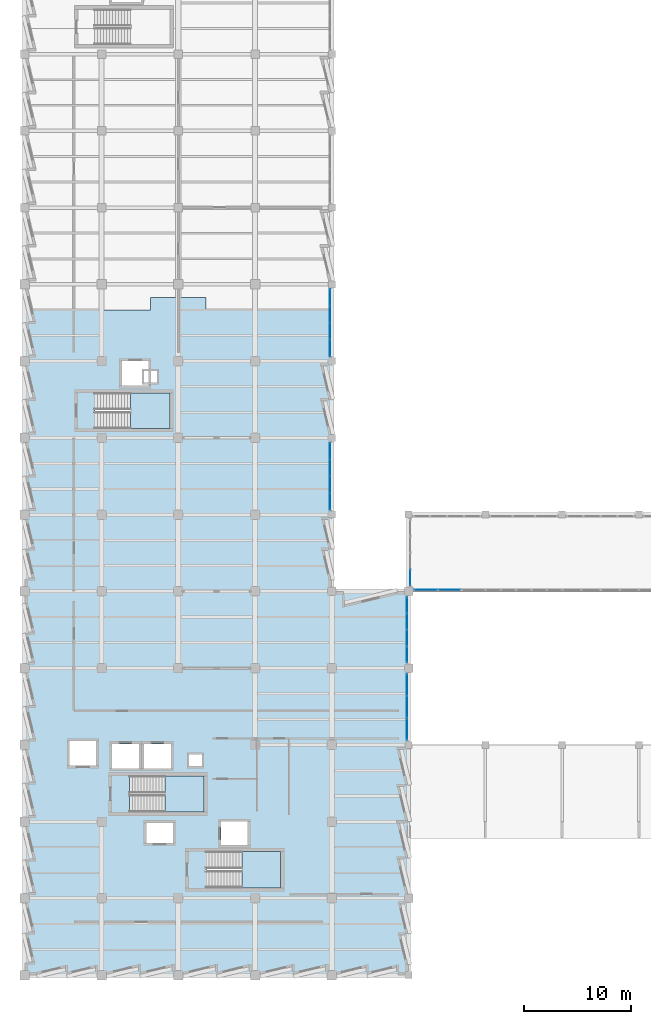
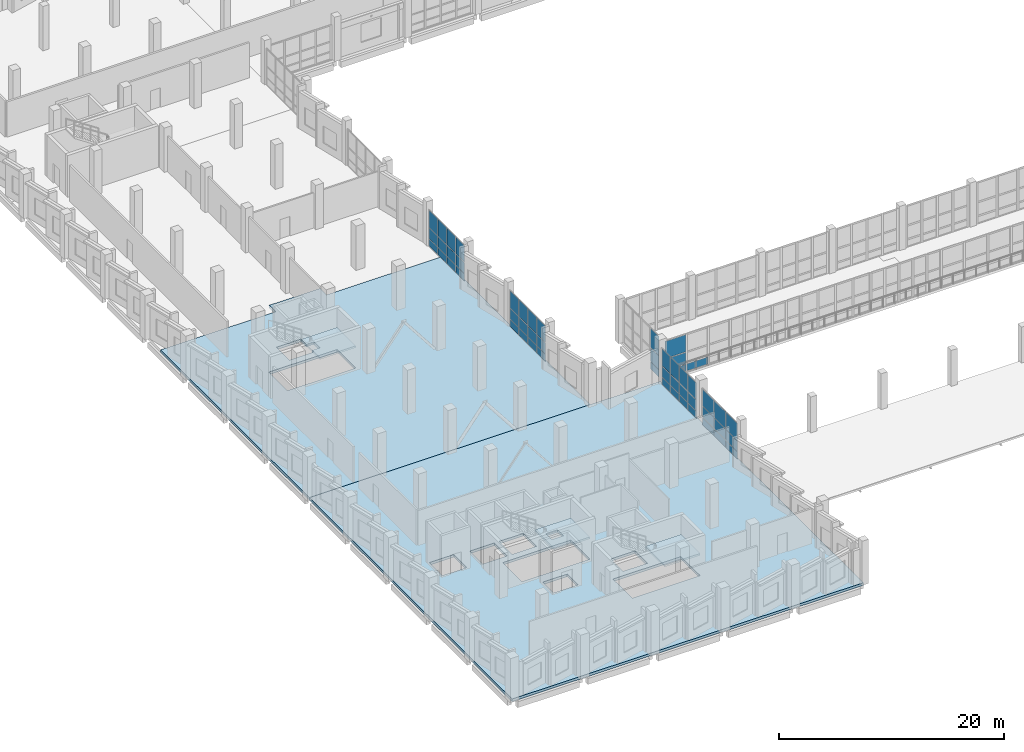
# One storey, part 77 of 127: 52 plates, 5 slabs, 9 elements without a shape of their own.
"""IFC4 building model written with IfcOpenShell, lengths in metres."""

from ifc_helpers import new_model, si_unit, direction, frame, origin, origin_2d, place, context, subcontext, project, spatial, polyline, rectangle, outline, extrude, material, layer, layer_set, type_object, element, aggregate, save


model = new_model("IFC4")

# Units and contexts
model_context = context("Model", 3, precision=1e-05, world=origin(), true_north=direction((0.0, 1.0)))
body_context = subcontext(model_context, "Body", "Model", "MODEL_VIEW")
ifc_project = project(units=[si_unit("LENGTHUNIT", "METRE"), si_unit("AREAUNIT", "SQUARE_METRE"), si_unit("VOLUMEUNIT", "CUBIC_METRE"), si_unit("PLANEANGLEUNIT", "RADIAN"), si_unit("MASSUNIT", "GRAM", prefix="KILO")], contexts=[model_context])

# Site, building, storey
site_placement = place(None, origin())
site = spatial("IfcSite", under=ifc_project, at=site_placement, CompositionType="ELEMENT")
building_placement = place(site_placement, origin())
building = spatial("IfcBuilding", under=site, at=building_placement, Name="Kalmorath City Hall", CompositionType="ELEMENT")
storey_placement = place(building_placement, frame((0.0, 0.0, 5.39990234375)))
storey = spatial("IfcBuildingStorey", under=building, at=storey_placement, Name="L01", CompositionType="ELEMENT", Elevation=5.39990234375)

# Slabs
ifc_material_1 = material(Name="Concrete C40/50", Category="concrete")
ifc_layer_1 = layer(ifc_material_1, 0.280029296875)
ifc_layer_set_1 = layer_set([ifc_layer_1], Name="Concrete C40/50")
slab_type_1 = type_object("IfcSlabType", Name="Concrete composite floor slab 280", PredefinedType="FLOOR", material=ifc_layer_set_1)
slab_1_placement = place(storey_placement, frame((0.0, 0.0, -0.27978515625)))
element("IfcSlab", 1, at=slab_1_placement, inside=storey, type_object=slab_type_1, Name="L01 Corner Administration Block slab FS2-1", PredefinedType="FLOOR", context=body_context, shape_type="SweptSolid", body=[
    extrude(outline(polyline([(0.0, 36.0), (36.0, 36.0), (36.0, 0.0), (0.0, 0.0), (0.0, 36.0)]), holes=[polyline([(16.800048828125, 15.300048828125), (16.800048828125, 18.699951171875), (9.840087890625, 18.699951171875), (9.840087890625, 15.300048828125), (16.800048828125, 15.300048828125)]), polyline([(4.199951171875, 19.64990234375), (6.699951171875, 19.64990234375), (6.699951171875, 21.949951171875), (4.199951171875, 21.949951171875), (4.199951171875, 19.64990234375)]), polyline([(8.199951171875, 21.699951171875), (8.199951171875, 19.39990234375), (10.699951171875, 19.39990234375), (10.699951171875, 21.699951171875), (8.199951171875, 21.699951171875)]), polyline([(13.699951171875, 21.699951171875), (11.199951171875, 21.699951171875), (11.199951171875, 19.39990234375), (13.699951171875, 19.39990234375), (13.699951171875, 21.699951171875)]), polyline([(24.0, 8.199951171875), (24.0, 11.60009765625), (17.0400390625, 11.60009765625), (17.0400390625, 8.199951171875), (24.0, 8.199951171875)]), polyline([(11.39990234375, 12.39990234375), (13.89990234375, 12.39990234375), (13.89990234375, 14.300048828125), (11.39990234375, 14.300048828125), (11.39990234375, 12.39990234375)]), polyline([(18.39990234375, 14.39990234375), (18.39990234375, 12.199951171875), (20.89990234375, 12.199951171875), (20.89990234375, 14.39990234375), (18.39990234375, 14.39990234375)]), polyline([(16.60009765625, 20.679931640625), (15.39990234375, 20.679931640625), (15.39990234375, 19.60009765625), (16.60009765625, 19.60009765625), (16.60009765625, 20.679931640625)])]), origin(), (0.0, 0.0, 1.0), 0.27978515625),
])
slab_2_placement = place(storey_placement, frame((0.0, 0.0, -0.27978515625)))
element("IfcSlab", 2, at=slab_2_placement, inside=storey, type_object=slab_type_1, Name="L01 West Sawtooth Wing and Civic Storm Arcade slab FS2-1", PredefinedType="FLOOR", context=body_context, shape_type="SweptSolid", body=[
    extrude(outline(polyline([(0.0, 36.0), (0.0, 62.39990234375), (11.800048828125, 62.39990234375), (11.800048828125, 63.550048828125), (17.0, 63.550048828125), (17.0, 62.39990234375), (28.800048828125, 62.39990234375), (28.800048828125, 36.0), (0.0, 36.0)]), holes=[polyline([(6.590087890625, 54.60009765625), (6.590087890625, 51.300048828125), (13.60009765625, 51.300048828125), (13.60009765625, 54.60009765625), (6.590087890625, 54.60009765625)]), polyline([(11.60009765625, 55.60009765625), (12.39990234375, 55.60009765625), (12.39990234375, 56.679931640625), (11.60009765625, 56.679931640625), (11.60009765625, 57.60009765625), (9.10009765625, 57.60009765625), (9.10009765625, 55.300048828125), (11.60009765625, 55.300048828125), (11.60009765625, 55.60009765625)])]), origin(), (0.0, 0.0, 1.0), 0.27978515625),
])

# Stair, slab
ifc_material_2 = material(Name="Concrete C40/50", Category="concrete")
stair_type_1 = type_object("IfcStairType", Name="Dogleg concrete exit stair 26R x 185mm W1600", PredefinedType="HALF_TURN_STAIR", material=ifc_material_2)
stair_1_placement = place(storey_placement, origin())
stair_1 = element("IfcStair", 3, at=stair_1_placement, inside=storey, type_object=stair_type_1, Name="L01 Protected exit stair ST-1", PredefinedType="HALF_TURN_STAIR")
ifc_material_3 = material(Name="Concrete C40/50", Category="concrete")
ifc_layer_2 = layer(ifc_material_3, 0.199951171875)
ifc_layer_set_2 = layer_set([ifc_layer_2], Name="Concrete C40/50")
slab_type_2 = type_object("IfcSlabType", Name="Concrete stair half-landing slab 200", PredefinedType="LANDING", material=ifc_layer_set_2)
slab_3_placement = place(storey_placement, frame((0.0, 0.0, 2.2001953125)))
slab_3 = element("IfcSlab", 4, at=slab_3_placement, type_object=slab_type_2, Name="ST-1 landing 1", PredefinedType="LANDING", context=body_context, shape_type="SweptSolid", body=[
    extrude(outline(polyline([(13.159912109375, 15.300048828125), (16.800048828125, 15.300048828125), (16.800048828125, 18.699951171875), (13.159912109375, 18.699951171875), (13.159912109375, 15.300048828125)])), origin(), (0.0, 0.0, 1.0), 0.199951171875),
])
aggregate(stair_1, [slab_3])

stair_2_placement = place(storey_placement, origin())
stair_2 = element("IfcStair", 5, at=stair_2_placement, inside=storey, type_object=stair_type_1, Name="L01 Protected exit stair ST-2", PredefinedType="HALF_TURN_STAIR")
slab_4_placement = place(storey_placement, frame((0.0, 0.0, 2.2001953125)))
slab_4 = element("IfcSlab", 6, at=slab_4_placement, type_object=slab_type_2, Name="ST-2 landing 1", PredefinedType="LANDING", context=body_context, shape_type="SweptSolid", body=[
    extrude(outline(polyline([(20.360107421875, 8.199951171875), (24.0, 8.199951171875), (24.0, 11.60009765625), (20.360107421875, 11.60009765625), (20.360107421875, 8.199951171875)])), origin(), (0.0, 0.0, 1.0), 0.199951171875),
])
aggregate(stair_2, [slab_4])

ifc_material_4 = material(Name="Concrete C40/50", Category="concrete")
stair_type_2 = type_object("IfcStairType", Name="Dogleg concrete exit stair 26R x 185mm W1550", PredefinedType="HALF_TURN_STAIR", material=ifc_material_4)
stair_3_placement = place(storey_placement, origin())
stair_3 = element("IfcStair", 7, at=stair_3_placement, inside=storey, type_object=stair_type_2, Name="L01 Protected exit stair ST-3", PredefinedType="HALF_TURN_STAIR")
slab_5_placement = place(storey_placement, frame((0.0, 0.0, 2.2001953125)))
slab_5 = element("IfcSlab", 8, at=slab_5_placement, type_object=slab_type_2, Name="ST-3 landing 1", PredefinedType="LANDING", context=body_context, shape_type="SweptSolid", body=[
    extrude(outline(polyline([(9.909912109375, 51.300048828125), (13.60009765625, 51.300048828125), (13.60009765625, 54.60009765625), (9.909912109375, 54.60009765625), (9.909912109375, 51.300048828125)])), origin(), (0.0, 0.0, 1.0), 0.199951171875),
])
aggregate(stair_3, [slab_5])

# Curtain wall, plates
ifc_material_5 = material(Name="Anodised aluminium and laminated glass", Category="aluminium")
curtain_wall_type_1 = type_object("IfcCurtainWallType", Name="Unitised hurricane curtain wall 6370x3976 M1750", PredefinedType="NOTDEFINED", material=ifc_material_5)
curtain_wall_1_placement = place(storey_placement, origin())
curtain_wall_1 = element("IfcCurtainWall", 9, at=curtain_wall_1_placement, inside=storey, type_object=curtain_wall_type_1, Name="L01 curtain wall CW-64X40M18 #110", PredefinedType="NOTDEFINED")
ifc_material_6 = material(Name="Hurricane laminated low-E glass", Category="glass")
ifc_layer_3 = layer(ifc_material_6, 0.028076171875)
ifc_layer_set_3 = layer_set([ifc_layer_3], Name="Hurricane laminated low-E glass")
plate_type_1 = type_object("IfcPlateType", Name="Courtyard solar-control glazed panel 28", PredefinedType="CURTAIN_PANEL", material=ifc_layer_set_3)
plate_1_placement = place(storey_placement, frame((28.639892578125, 63.572509765625, 0.06005859375), z_axis=(0.0, 0.0, 1.0), x_axis=(0.0, -1.0, 0.0)))
plate_1 = element("IfcPlate", 10, at=plate_1_placement, type_object=plate_type_1, Name="CW-64X40M18 panel 1.1", PredefinedType="CURTAIN_PANEL", context=body_context, shape_type="SweptSolid", body=[
    extrude(rectangle(XDim=1.4951171875, YDim=0.028076171875, at=origin_2d()), origin(), (0.0, 0.0, 1.0), 0.760009765625),
])
plate_2_placement = place(storey_placement, frame((28.639892578125, 63.572509765625, 0.8798828125), z_axis=(0.0, 0.0, 1.0), x_axis=(0.0, -1.0, 0.0)))
plate_2 = element("IfcPlate", 11, at=plate_2_placement, type_object=plate_type_1, Name="CW-64X40M18 panel 1.2", PredefinedType="CURTAIN_PANEL", context=body_context, shape_type="SweptSolid", body=[
    extrude(rectangle(XDim=1.4951171875, YDim=0.028076171875, at=origin_2d()), origin(), (0.0, 0.0, 1.0), 1.157958984375),
])
plate_3_placement = place(storey_placement, frame((28.639892578125, 63.572509765625, 2.09814453125), z_axis=(0.0, 0.0, 1.0), x_axis=(0.0, -1.0, 0.0)))
plate_3 = element("IfcPlate", 12, at=plate_3_placement, type_object=plate_type_1, Name="CW-64X40M18 panel 1.3", PredefinedType="CURTAIN_PANEL", context=body_context, shape_type="SweptSolid", body=[
    extrude(rectangle(XDim=1.4951171875, YDim=0.028076171875, at=origin_2d()), origin(), (0.0, 0.0, 1.0), 1.818115234375),
])
plate_4_placement = place(storey_placement, frame((28.639892578125, 61.996337890625, 0.06005859375), z_axis=(0.0, 0.0, 1.0), x_axis=(0.0, -1.0, 0.0)))
plate_4 = element("IfcPlate", 13, at=plate_4_placement, type_object=plate_type_1, Name="CW-64X40M18 panel 2.1", PredefinedType="CURTAIN_PANEL", context=body_context, shape_type="SweptSolid", body=[
    extrude(rectangle(XDim=1.527587890625, YDim=0.028076171875, at=origin_2d()), origin(), (0.0, 0.0, 1.0), 0.760009765625),
])
plate_5_placement = place(storey_placement, frame((28.639892578125, 61.996337890625, 0.8798828125), z_axis=(0.0, 0.0, 1.0), x_axis=(0.0, -1.0, 0.0)))
plate_5 = element("IfcPlate", 14, at=plate_5_placement, type_object=plate_type_1, Name="CW-64X40M18 panel 2.2", PredefinedType="CURTAIN_PANEL", context=body_context, shape_type="SweptSolid", body=[
    extrude(rectangle(XDim=1.527587890625, YDim=0.028076171875, at=origin_2d()), origin(), (0.0, 0.0, 1.0), 1.157958984375),
])
plate_6_placement = place(storey_placement, frame((28.639892578125, 61.996337890625, 2.09814453125), z_axis=(0.0, 0.0, 1.0), x_axis=(0.0, -1.0, 0.0)))
plate_6 = element("IfcPlate", 15, at=plate_6_placement, type_object=plate_type_1, Name="CW-64X40M18 panel 2.3", PredefinedType="CURTAIN_PANEL", context=body_context, shape_type="SweptSolid", body=[
    extrude(rectangle(XDim=1.527587890625, YDim=0.028076171875, at=origin_2d()), origin(), (0.0, 0.0, 1.0), 1.818115234375),
])
plate_7_placement = place(storey_placement, frame((28.639892578125, 60.40380859375, 0.06005859375), z_axis=(0.0, 0.0, 1.0), x_axis=(0.0, -1.0, 0.0)))
plate_7 = element("IfcPlate", 16, at=plate_7_placement, type_object=plate_type_1, Name="CW-64X40M18 panel 3.1", PredefinedType="CURTAIN_PANEL", context=body_context, shape_type="SweptSolid", body=[
    extrude(rectangle(XDim=1.527587890625, YDim=0.028076171875, at=origin_2d()), origin(), (0.0, 0.0, 1.0), 0.760009765625),
])
plate_8_placement = place(storey_placement, frame((28.639892578125, 60.40380859375, 0.8798828125), z_axis=(0.0, 0.0, 1.0), x_axis=(0.0, -1.0, 0.0)))
plate_8 = element("IfcPlate", 17, at=plate_8_placement, type_object=plate_type_1, Name="CW-64X40M18 panel 3.2", PredefinedType="CURTAIN_PANEL", context=body_context, shape_type="SweptSolid", body=[
    extrude(rectangle(XDim=1.527587890625, YDim=0.028076171875, at=origin_2d()), origin(), (0.0, 0.0, 1.0), 1.157958984375),
])
plate_9_placement = place(storey_placement, frame((28.639892578125, 60.40380859375, 2.09814453125), z_axis=(0.0, 0.0, 1.0), x_axis=(0.0, -1.0, 0.0)))
plate_9 = element("IfcPlate", 18, at=plate_9_placement, type_object=plate_type_1, Name="CW-64X40M18 panel 3.3", PredefinedType="CURTAIN_PANEL", context=body_context, shape_type="SweptSolid", body=[
    extrude(rectangle(XDim=1.527587890625, YDim=0.028076171875, at=origin_2d()), origin(), (0.0, 0.0, 1.0), 1.818115234375),
])
plate_10_placement = place(storey_placement, frame((28.639892578125, 58.827392578125, 0.06005859375), z_axis=(0.0, 0.0, 1.0), x_axis=(0.0, -1.0, 0.0)))
plate_10 = element("IfcPlate", 19, at=plate_10_placement, type_object=plate_type_1, Name="CW-64X40M18 panel 4.1", PredefinedType="CURTAIN_PANEL", context=body_context, shape_type="SweptSolid", body=[
    extrude(rectangle(XDim=1.4951171875, YDim=0.028076171875, at=origin_2d()), origin(), (0.0, 0.0, 1.0), 0.760009765625),
])
plate_11_placement = place(storey_placement, frame((28.639892578125, 58.827392578125, 0.8798828125), z_axis=(0.0, 0.0, 1.0), x_axis=(0.0, -1.0, 0.0)))
plate_11 = element("IfcPlate", 20, at=plate_11_placement, type_object=plate_type_1, Name="CW-64X40M18 panel 4.2", PredefinedType="CURTAIN_PANEL", context=body_context, shape_type="SweptSolid", body=[
    extrude(rectangle(XDim=1.4951171875, YDim=0.028076171875, at=origin_2d()), origin(), (0.0, 0.0, 1.0), 1.157958984375),
])
plate_12_placement = place(storey_placement, frame((28.639892578125, 58.827392578125, 2.09814453125), z_axis=(0.0, 0.0, 1.0), x_axis=(0.0, -1.0, 0.0)))
plate_12 = element("IfcPlate", 21, at=plate_12_placement, type_object=plate_type_1, Name="CW-64X40M18 panel 4.3", PredefinedType="CURTAIN_PANEL", context=body_context, shape_type="SweptSolid", body=[
    extrude(rectangle(XDim=1.4951171875, YDim=0.028076171875, at=origin_2d()), origin(), (0.0, 0.0, 1.0), 1.818115234375),
])
aggregate(curtain_wall_1, [plate_1, plate_2, plate_3, plate_4, plate_5, plate_6, plate_7, plate_8, plate_9, plate_10, plate_11, plate_12])

curtain_wall_2_placement = place(storey_placement, origin())
curtain_wall_2 = element("IfcCurtainWall", 22, at=curtain_wall_2_placement, inside=storey, type_object=curtain_wall_type_1, Name="L01 curtain wall CW-64X40M18 #111", PredefinedType="NOTDEFINED")
plate_13_placement = place(storey_placement, frame((28.639892578125, 49.172607421875, 0.06005859375), z_axis=(0.0, 0.0, 1.0), x_axis=(0.0, -1.0, 0.0)))
plate_13 = element("IfcPlate", 23, at=plate_13_placement, type_object=plate_type_1, Name="CW-64X40M18 panel 1.1", PredefinedType="CURTAIN_PANEL", context=body_context, shape_type="SweptSolid", body=[
    extrude(rectangle(XDim=1.4951171875, YDim=0.028076171875, at=origin_2d()), origin(), (0.0, 0.0, 1.0), 0.760009765625),
])
plate_14_placement = place(storey_placement, frame((28.639892578125, 49.172607421875, 0.8798828125), z_axis=(0.0, 0.0, 1.0), x_axis=(0.0, -1.0, 0.0)))
plate_14 = element("IfcPlate", 24, at=plate_14_placement, type_object=plate_type_1, Name="CW-64X40M18 panel 1.2", PredefinedType="CURTAIN_PANEL", context=body_context, shape_type="SweptSolid", body=[
    extrude(rectangle(XDim=1.4951171875, YDim=0.028076171875, at=origin_2d()), origin(), (0.0, 0.0, 1.0), 1.157958984375),
])
plate_15_placement = place(storey_placement, frame((28.639892578125, 49.172607421875, 2.09814453125), z_axis=(0.0, 0.0, 1.0), x_axis=(0.0, -1.0, 0.0)))
plate_15 = element("IfcPlate", 25, at=plate_15_placement, type_object=plate_type_1, Name="CW-64X40M18 panel 1.3", PredefinedType="CURTAIN_PANEL", context=body_context, shape_type="SweptSolid", body=[
    extrude(rectangle(XDim=1.4951171875, YDim=0.028076171875, at=origin_2d()), origin(), (0.0, 0.0, 1.0), 1.818115234375),
])
plate_16_placement = place(storey_placement, frame((28.639892578125, 47.59619140625, 0.06005859375), z_axis=(0.0, 0.0, 1.0), x_axis=(0.0, -1.0, 0.0)))
plate_16 = element("IfcPlate", 26, at=plate_16_placement, type_object=plate_type_1, Name="CW-64X40M18 panel 2.1", PredefinedType="CURTAIN_PANEL", context=body_context, shape_type="SweptSolid", body=[
    extrude(rectangle(XDim=1.527587890625, YDim=0.028076171875, at=origin_2d()), origin(), (0.0, 0.0, 1.0), 0.760009765625),
])
plate_17_placement = place(storey_placement, frame((28.639892578125, 47.59619140625, 0.8798828125), z_axis=(0.0, 0.0, 1.0), x_axis=(0.0, -1.0, 0.0)))
plate_17 = element("IfcPlate", 27, at=plate_17_placement, type_object=plate_type_1, Name="CW-64X40M18 panel 2.2", PredefinedType="CURTAIN_PANEL", context=body_context, shape_type="SweptSolid", body=[
    extrude(rectangle(XDim=1.527587890625, YDim=0.028076171875, at=origin_2d()), origin(), (0.0, 0.0, 1.0), 1.157958984375),
])
plate_18_placement = place(storey_placement, frame((28.639892578125, 47.59619140625, 2.09814453125), z_axis=(0.0, 0.0, 1.0), x_axis=(0.0, -1.0, 0.0)))
plate_18 = element("IfcPlate", 28, at=plate_18_placement, type_object=plate_type_1, Name="CW-64X40M18 panel 2.3", PredefinedType="CURTAIN_PANEL", context=body_context, shape_type="SweptSolid", body=[
    extrude(rectangle(XDim=1.527587890625, YDim=0.028076171875, at=origin_2d()), origin(), (0.0, 0.0, 1.0), 1.818115234375),
])
plate_19_placement = place(storey_placement, frame((28.639892578125, 46.003662109375, 0.06005859375), z_axis=(0.0, 0.0, 1.0), x_axis=(0.0, -1.0, 0.0)))
plate_19 = element("IfcPlate", 29, at=plate_19_placement, type_object=plate_type_1, Name="CW-64X40M18 panel 3.1", PredefinedType="CURTAIN_PANEL", context=body_context, shape_type="SweptSolid", body=[
    extrude(rectangle(XDim=1.527587890625, YDim=0.028076171875, at=origin_2d()), origin(), (0.0, 0.0, 1.0), 0.760009765625),
])
plate_20_placement = place(storey_placement, frame((28.639892578125, 46.003662109375, 0.8798828125), z_axis=(0.0, 0.0, 1.0), x_axis=(0.0, -1.0, 0.0)))
plate_20 = element("IfcPlate", 30, at=plate_20_placement, type_object=plate_type_1, Name="CW-64X40M18 panel 3.2", PredefinedType="CURTAIN_PANEL", context=body_context, shape_type="SweptSolid", body=[
    extrude(rectangle(XDim=1.527587890625, YDim=0.028076171875, at=origin_2d()), origin(), (0.0, 0.0, 1.0), 1.157958984375),
])
plate_21_placement = place(storey_placement, frame((28.639892578125, 46.003662109375, 2.09814453125), z_axis=(0.0, 0.0, 1.0), x_axis=(0.0, -1.0, 0.0)))
plate_21 = element("IfcPlate", 31, at=plate_21_placement, type_object=plate_type_1, Name="CW-64X40M18 panel 3.3", PredefinedType="CURTAIN_PANEL", context=body_context, shape_type="SweptSolid", body=[
    extrude(rectangle(XDim=1.527587890625, YDim=0.028076171875, at=origin_2d()), origin(), (0.0, 0.0, 1.0), 1.818115234375),
])
plate_22_placement = place(storey_placement, frame((28.639892578125, 44.427490234375, 0.06005859375), z_axis=(0.0, 0.0, 1.0), x_axis=(0.0, -1.0, 0.0)))
plate_22 = element("IfcPlate", 32, at=plate_22_placement, type_object=plate_type_1, Name="CW-64X40M18 panel 4.1", PredefinedType="CURTAIN_PANEL", context=body_context, shape_type="SweptSolid", body=[
    extrude(rectangle(XDim=1.4951171875, YDim=0.028076171875, at=origin_2d()), origin(), (0.0, 0.0, 1.0), 0.760009765625),
])
plate_23_placement = place(storey_placement, frame((28.639892578125, 44.427490234375, 0.8798828125), z_axis=(0.0, 0.0, 1.0), x_axis=(0.0, -1.0, 0.0)))
plate_23 = element("IfcPlate", 33, at=plate_23_placement, type_object=plate_type_1, Name="CW-64X40M18 panel 4.2", PredefinedType="CURTAIN_PANEL", context=body_context, shape_type="SweptSolid", body=[
    extrude(rectangle(XDim=1.4951171875, YDim=0.028076171875, at=origin_2d()), origin(), (0.0, 0.0, 1.0), 1.157958984375),
])
plate_24_placement = place(storey_placement, frame((28.639892578125, 44.427490234375, 2.09814453125), z_axis=(0.0, 0.0, 1.0), x_axis=(0.0, -1.0, 0.0)))
plate_24 = element("IfcPlate", 34, at=plate_24_placement, type_object=plate_type_1, Name="CW-64X40M18 panel 4.3", PredefinedType="CURTAIN_PANEL", context=body_context, shape_type="SweptSolid", body=[
    extrude(rectangle(XDim=1.4951171875, YDim=0.028076171875, at=origin_2d()), origin(), (0.0, 0.0, 1.0), 1.818115234375),
])
aggregate(curtain_wall_2, [plate_13, plate_14, plate_15, plate_16, plate_17, plate_18, plate_19, plate_20, plate_21, plate_22, plate_23, plate_24])

ifc_material_7 = material(Name="Anodised aluminium and laminated glass", Category="aluminium")
curtain_wall_type_2 = type_object("IfcCurtainWallType", Name="Unitised hurricane curtain wall 6710x4090 M2100", PredefinedType="NOTDEFINED", material=ifc_material_7)
curtain_wall_3_placement = place(storey_placement, origin())
curtain_wall_3 = element("IfcCurtainWall", 35, at=curtain_wall_3_placement, inside=storey, type_object=curtain_wall_type_2, Name="L01 curtain wall CW-67X41M21 #79", PredefinedType="NOTDEFINED")
ifc_material_8 = material(Name="Hurricane laminated low-E glass", Category="glass")
ifc_layer_4 = layer(ifc_material_8, 0.031982421875)
ifc_layer_set_4 = layer_set([ifc_layer_4], Name="Hurricane laminated low-E glass")
plate_type_2 = type_object("IfcPlateType", Name="Hurricane impact double-glazed panel 32", PredefinedType="CURTAIN_PANEL", material=ifc_layer_set_4)
plate_25_placement = place(storey_placement, frame((39.844970703125, 36.159912109375, 0.065185546875), z_axis=(0.0, 0.0, 1.0), x_axis=(-1.0, 0.0, 0.0)))
plate_25 = element("IfcPlate", 36, at=plate_25_placement, type_object=plate_type_2, Name="CW-67X41M21 panel 2.1", PredefinedType="CURTAIN_PANEL", context=body_context, shape_type="SweptSolid", body=[
    extrude(rectangle(XDim=2.16162109375, YDim=0.031982421875, at=origin_2d()), origin(), (0.0, 0.0, 1.0), 0.75244140625),
])
plate_26_placement = place(storey_placement, frame((37.627197265625, 36.159912109375, 0.065185546875), z_axis=(0.0, 0.0, 1.0), x_axis=(-1.0, 0.0, 0.0)))
plate_26 = element("IfcPlate", 37, at=plate_26_placement, type_object=plate_type_2, Name="CW-67X41M21 panel 3.1", PredefinedType="CURTAIN_PANEL", context=body_context, shape_type="SweptSolid", body=[
    extrude(rectangle(XDim=2.124267578125, YDim=0.031982421875, at=origin_2d()), origin(), (0.0, 0.0, 1.0), 0.75244140625),
])
plate_27_placement = place(storey_placement, frame((37.627197265625, 36.159912109375, 0.882568359375), z_axis=(0.0, 0.0, 1.0), x_axis=(-1.0, 0.0, 0.0)))
plate_27 = element("IfcPlate", 38, at=plate_27_placement, type_object=plate_type_2, Name="CW-67X41M21 panel 3.2", PredefinedType="CURTAIN_PANEL", context=body_context, shape_type="SweptSolid", body=[
    extrude(rectangle(XDim=2.124267578125, YDim=0.031982421875, at=origin_2d()), origin(), (0.0, 0.0, 1.0), 1.2119140625),
])
plate_28_placement = place(storey_placement, frame((37.627197265625, 36.159912109375, 2.15966796875), z_axis=(0.0, 0.0, 1.0), x_axis=(-1.0, 0.0, 0.0)))
plate_28 = element("IfcPlate", 39, at=plate_28_placement, type_object=plate_type_2, Name="CW-67X41M21 panel 3.3", PredefinedType="CURTAIN_PANEL", context=body_context, shape_type="SweptSolid", body=[
    extrude(rectangle(XDim=2.124267578125, YDim=0.031982421875, at=origin_2d()), origin(), (0.0, 0.0, 1.0), 1.865478515625),
])
aggregate(curtain_wall_3, [plate_25, plate_26, plate_27, plate_28])

ifc_material_9 = material(Name="Anodised aluminium and laminated glass", Category="aluminium")
curtain_wall_type_3 = type_object("IfcCurtainWallType", Name="Unitised hurricane curtain wall 6220x3976 M1500", PredefinedType="NOTDEFINED", material=ifc_material_9)
curtain_wall_4_placement = place(storey_placement, origin())
curtain_wall_4 = element("IfcCurtainWall", 40, at=curtain_wall_4_placement, inside=storey, type_object=curtain_wall_type_3, Name="L01 curtain wall CW-62X40M15 #80", PredefinedType="NOTDEFINED")
plate_29_placement = place(storey_placement, frame((35.840087890625, 34.7138671875, 0.065185546875), z_axis=(0.0, 0.0, 1.0), x_axis=(0.0, -1.0, 0.0)))
plate_29 = element("IfcPlate", 41, at=plate_29_placement, type_object=plate_type_2, Name="CW-62X40M15 panel 1.1", PredefinedType="CURTAIN_PANEL", context=body_context, shape_type="SweptSolid", body=[
    extrude(rectangle(XDim=1.4423828125, YDim=0.031982421875, at=origin_2d()), origin(), (0.0, 0.0, 1.0), 0.75244140625),
])
plate_30_placement = place(storey_placement, frame((35.840087890625, 34.7138671875, 0.88232421875), z_axis=(0.0, 0.0, 1.0), x_axis=(0.0, -1.0, 0.0)))
plate_30 = element("IfcPlate", 42, at=plate_30_placement, type_object=plate_type_2, Name="CW-62X40M15 panel 1.2", PredefinedType="CURTAIN_PANEL", context=body_context, shape_type="SweptSolid", body=[
    extrude(rectangle(XDim=1.4423828125, YDim=0.031982421875, at=origin_2d()), origin(), (0.0, 0.0, 1.0), 1.153076171875),
])
plate_31_placement = place(storey_placement, frame((35.840087890625, 34.7138671875, 2.1005859375), z_axis=(0.0, 0.0, 1.0), x_axis=(0.0, -1.0, 0.0)))
plate_31 = element("IfcPlate", 43, at=plate_31_placement, type_object=plate_type_2, Name="CW-62X40M15 panel 1.3", PredefinedType="CURTAIN_PANEL", context=body_context, shape_type="SweptSolid", body=[
    extrude(rectangle(XDim=1.4423828125, YDim=0.031982421875, at=origin_2d()), origin(), (0.0, 0.0, 1.0), 1.810546875),
])
plate_32_placement = place(storey_placement, frame((35.840087890625, 33.177490234375, 0.065185546875), z_axis=(0.0, 0.0, 1.0), x_axis=(0.0, -1.0, 0.0)))
plate_32 = element("IfcPlate", 44, at=plate_32_placement, type_object=plate_type_2, Name="CW-62X40M15 panel 2.1", PredefinedType="CURTAIN_PANEL", context=body_context, shape_type="SweptSolid", body=[
    extrude(rectangle(XDim=1.47998046875, YDim=0.031982421875, at=origin_2d()), origin(), (0.0, 0.0, 1.0), 0.75244140625),
])
plate_33_placement = place(storey_placement, frame((35.840087890625, 33.177490234375, 0.88232421875), z_axis=(0.0, 0.0, 1.0), x_axis=(0.0, -1.0, 0.0)))
plate_33 = element("IfcPlate", 45, at=plate_33_placement, type_object=plate_type_2, Name="CW-62X40M15 panel 2.2", PredefinedType="CURTAIN_PANEL", context=body_context, shape_type="SweptSolid", body=[
    extrude(rectangle(XDim=1.47998046875, YDim=0.031982421875, at=origin_2d()), origin(), (0.0, 0.0, 1.0), 1.153076171875),
])
plate_34_placement = place(storey_placement, frame((35.840087890625, 33.177490234375, 2.1005859375), z_axis=(0.0, 0.0, 1.0), x_axis=(0.0, -1.0, 0.0)))
plate_34 = element("IfcPlate", 46, at=plate_34_placement, type_object=plate_type_2, Name="CW-62X40M15 panel 2.3", PredefinedType="CURTAIN_PANEL", context=body_context, shape_type="SweptSolid", body=[
    extrude(rectangle(XDim=1.47998046875, YDim=0.031982421875, at=origin_2d()), origin(), (0.0, 0.0, 1.0), 1.810546875),
])
plate_35_placement = place(storey_placement, frame((35.840087890625, 31.62255859375, 0.065185546875), z_axis=(0.0, 0.0, 1.0), x_axis=(0.0, -1.0, 0.0)))
plate_35 = element("IfcPlate", 47, at=plate_35_placement, type_object=plate_type_2, Name="CW-62X40M15 panel 3.1", PredefinedType="CURTAIN_PANEL", context=body_context, shape_type="SweptSolid", body=[
    extrude(rectangle(XDim=1.47998046875, YDim=0.031982421875, at=origin_2d()), origin(), (0.0, 0.0, 1.0), 0.75244140625),
])
plate_36_placement = place(storey_placement, frame((35.840087890625, 31.62255859375, 0.88232421875), z_axis=(0.0, 0.0, 1.0), x_axis=(0.0, -1.0, 0.0)))
plate_36 = element("IfcPlate", 48, at=plate_36_placement, type_object=plate_type_2, Name="CW-62X40M15 panel 3.2", PredefinedType="CURTAIN_PANEL", context=body_context, shape_type="SweptSolid", body=[
    extrude(rectangle(XDim=1.47998046875, YDim=0.031982421875, at=origin_2d()), origin(), (0.0, 0.0, 1.0), 1.153076171875),
])
plate_37_placement = place(storey_placement, frame((35.840087890625, 31.62255859375, 2.1005859375), z_axis=(0.0, 0.0, 1.0), x_axis=(0.0, -1.0, 0.0)))
plate_37 = element("IfcPlate", 49, at=plate_37_placement, type_object=plate_type_2, Name="CW-62X40M15 panel 3.3", PredefinedType="CURTAIN_PANEL", context=body_context, shape_type="SweptSolid", body=[
    extrude(rectangle(XDim=1.47998046875, YDim=0.031982421875, at=origin_2d()), origin(), (0.0, 0.0, 1.0), 1.810546875),
])
plate_38_placement = place(storey_placement, frame((35.840087890625, 30.086181640625, 0.065185546875), z_axis=(0.0, 0.0, 1.0), x_axis=(0.0, -1.0, 0.0)))
plate_38 = element("IfcPlate", 50, at=plate_38_placement, type_object=plate_type_2, Name="CW-62X40M15 panel 4.1", PredefinedType="CURTAIN_PANEL", context=body_context, shape_type="SweptSolid", body=[
    extrude(rectangle(XDim=1.4423828125, YDim=0.031982421875, at=origin_2d()), origin(), (0.0, 0.0, 1.0), 0.75244140625),
])
plate_39_placement = place(storey_placement, frame((35.840087890625, 30.086181640625, 0.88232421875), z_axis=(0.0, 0.0, 1.0), x_axis=(0.0, -1.0, 0.0)))
plate_39 = element("IfcPlate", 51, at=plate_39_placement, type_object=plate_type_2, Name="CW-62X40M15 panel 4.2", PredefinedType="CURTAIN_PANEL", context=body_context, shape_type="SweptSolid", body=[
    extrude(rectangle(XDim=1.4423828125, YDim=0.031982421875, at=origin_2d()), origin(), (0.0, 0.0, 1.0), 1.153076171875),
])
plate_40_placement = place(storey_placement, frame((35.840087890625, 30.086181640625, 2.1005859375), z_axis=(0.0, 0.0, 1.0), x_axis=(0.0, -1.0, 0.0)))
plate_40 = element("IfcPlate", 52, at=plate_40_placement, type_object=plate_type_2, Name="CW-62X40M15 panel 4.3", PredefinedType="CURTAIN_PANEL", context=body_context, shape_type="SweptSolid", body=[
    extrude(rectangle(XDim=1.4423828125, YDim=0.031982421875, at=origin_2d()), origin(), (0.0, 0.0, 1.0), 1.810546875),
])
aggregate(curtain_wall_4, [plate_29, plate_30, plate_31, plate_32, plate_33, plate_34, plate_35, plate_36, plate_37, plate_38, plate_39, plate_40])

ifc_material_10 = material(Name="Anodised aluminium and laminated glass", Category="aluminium")
curtain_wall_type_4 = type_object("IfcCurtainWallType", Name="Unitised hurricane curtain wall 6295x3976 M2100", PredefinedType="NOTDEFINED", material=ifc_material_10)
curtain_wall_5_placement = place(storey_placement, origin())
curtain_wall_5 = element("IfcCurtainWall", 53, at=curtain_wall_5_placement, inside=storey, type_object=curtain_wall_type_4, Name="L01 curtain wall CW-63X40M21 #81", PredefinedType="NOTDEFINED")
plate_41_placement = place(storey_placement, frame((35.840087890625, 27.2421875, 0.065185546875), z_axis=(0.0, 0.0, 1.0), x_axis=(0.0, -1.0, 0.0)))
plate_41 = element("IfcPlate", 54, at=plate_41_placement, type_object=plate_type_2, Name="CW-63X40M21 panel 1.1", PredefinedType="CURTAIN_PANEL", context=body_context, shape_type="SweptSolid", body=[
    extrude(rectangle(XDim=1.98583984375, YDim=0.031982421875, at=origin_2d()), origin(), (0.0, 0.0, 1.0), 0.75244140625),
])
plate_42_placement = place(storey_placement, frame((35.840087890625, 27.2421875, 0.88232421875), z_axis=(0.0, 0.0, 1.0), x_axis=(0.0, -1.0, 0.0)))
plate_42 = element("IfcPlate", 55, at=plate_42_placement, type_object=plate_type_2, Name="CW-63X40M21 panel 1.2", PredefinedType="CURTAIN_PANEL", context=body_context, shape_type="SweptSolid", body=[
    extrude(rectangle(XDim=1.98583984375, YDim=0.031982421875, at=origin_2d()), origin(), (0.0, 0.0, 1.0), 1.153076171875),
])
plate_43_placement = place(storey_placement, frame((35.840087890625, 27.2421875, 2.1005859375), z_axis=(0.0, 0.0, 1.0), x_axis=(0.0, -1.0, 0.0)))
plate_43 = element("IfcPlate", 56, at=plate_43_placement, type_object=plate_type_2, Name="CW-63X40M21 panel 1.3", PredefinedType="CURTAIN_PANEL", context=body_context, shape_type="SweptSolid", body=[
    extrude(rectangle(XDim=1.98583984375, YDim=0.031982421875, at=origin_2d()), origin(), (0.0, 0.0, 1.0), 1.810546875),
])
plate_44_placement = place(storey_placement, frame((35.840087890625, 25.16259765625, 0.065185546875), z_axis=(0.0, 0.0, 1.0), x_axis=(0.0, -1.0, 0.0)))
plate_44 = element("IfcPlate", 57, at=plate_44_placement, type_object=plate_type_2, Name="CW-63X40M21 panel 2.1", PredefinedType="CURTAIN_PANEL", context=body_context, shape_type="SweptSolid", body=[
    extrude(rectangle(XDim=2.0234375, YDim=0.031982421875, at=origin_2d()), origin(), (0.0, 0.0, 1.0), 0.75244140625),
])
plate_45_placement = place(storey_placement, frame((35.840087890625, 25.16259765625, 0.88232421875), z_axis=(0.0, 0.0, 1.0), x_axis=(0.0, -1.0, 0.0)))
plate_45 = element("IfcPlate", 58, at=plate_45_placement, type_object=plate_type_2, Name="CW-63X40M21 panel 2.2", PredefinedType="CURTAIN_PANEL", context=body_context, shape_type="SweptSolid", body=[
    extrude(rectangle(XDim=2.0234375, YDim=0.031982421875, at=origin_2d()), origin(), (0.0, 0.0, 1.0), 1.153076171875),
])
plate_46_placement = place(storey_placement, frame((35.840087890625, 25.16259765625, 2.1005859375), z_axis=(0.0, 0.0, 1.0), x_axis=(0.0, -1.0, 0.0)))
plate_46 = element("IfcPlate", 59, at=plate_46_placement, type_object=plate_type_2, Name="CW-63X40M21 panel 2.3", PredefinedType="CURTAIN_PANEL", context=body_context, shape_type="SweptSolid", body=[
    extrude(rectangle(XDim=2.0234375, YDim=0.031982421875, at=origin_2d()), origin(), (0.0, 0.0, 1.0), 1.810546875),
])
plate_47_placement = place(storey_placement, frame((35.840087890625, 23.0830078125, 0.065185546875), z_axis=(0.0, 0.0, 1.0), x_axis=(0.0, -1.0, 0.0)))
plate_47 = element("IfcPlate", 60, at=plate_47_placement, type_object=plate_type_2, Name="CW-63X40M21 panel 3.1", PredefinedType="CURTAIN_PANEL", context=body_context, shape_type="SweptSolid", body=[
    extrude(rectangle(XDim=1.98583984375, YDim=0.031982421875, at=origin_2d()), origin(), (0.0, 0.0, 1.0), 0.75244140625),
])
plate_48_placement = place(storey_placement, frame((35.840087890625, 23.0830078125, 0.88232421875), z_axis=(0.0, 0.0, 1.0), x_axis=(0.0, -1.0, 0.0)))
plate_48 = element("IfcPlate", 61, at=plate_48_placement, type_object=plate_type_2, Name="CW-63X40M21 panel 3.2", PredefinedType="CURTAIN_PANEL", context=body_context, shape_type="SweptSolid", body=[
    extrude(rectangle(XDim=1.98583984375, YDim=0.031982421875, at=origin_2d()), origin(), (0.0, 0.0, 1.0), 1.153076171875),
])
plate_49_placement = place(storey_placement, frame((35.840087890625, 23.0830078125, 2.1005859375), z_axis=(0.0, 0.0, 1.0), x_axis=(0.0, -1.0, 0.0)))
plate_49 = element("IfcPlate", 62, at=plate_49_placement, type_object=plate_type_2, Name="CW-63X40M21 panel 3.3", PredefinedType="CURTAIN_PANEL", context=body_context, shape_type="SweptSolid", body=[
    extrude(rectangle(XDim=1.98583984375, YDim=0.031982421875, at=origin_2d()), origin(), (0.0, 0.0, 1.0), 1.810546875),
])
aggregate(curtain_wall_5, [plate_41, plate_42, plate_43, plate_44, plate_45, plate_46, plate_47, plate_48, plate_49])

ifc_material_11 = material(Name="Anodised aluminium and laminated glass", Category="aluminium")
curtain_wall_type_5 = type_object("IfcCurtainWallType", Name="Unitised hurricane curtain wall 6295x4520 M1500", PredefinedType="NOTDEFINED", material=ifc_material_11)
curtain_wall_6_placement = place(storey_placement, origin())
curtain_wall_6 = element("IfcCurtainWall", 63, at=curtain_wall_6_placement, inside=storey, type_object=curtain_wall_type_5, Name="L01 curtain wall CW-63X45M15 #112", PredefinedType="NOTDEFINED")
plate_50_placement = place(storey_placement, frame((36.159912109375, 37.295654296875, 0.065185546875), z_axis=(0.0, 0.0, 1.0), x_axis=(0.0, 1.0, 0.0)))
plate_50 = element("IfcPlate", 64, at=plate_50_placement, type_object=plate_type_2, Name="CW-63X45M15 panel 1.1", PredefinedType="CURTAIN_PANEL", context=body_context, shape_type="SweptSolid", body=[
    extrude(rectangle(XDim=1.461181640625, YDim=0.031982421875, at=origin_2d()), origin(), (0.0, 0.0, 1.0), 0.75244140625),
])
plate_51_placement = place(storey_placement, frame((36.159912109375, 37.295654296875, 0.882568359375), z_axis=(0.0, 0.0, 1.0), x_axis=(0.0, 1.0, 0.0)))
plate_51 = element("IfcPlate", 65, at=plate_51_placement, type_object=plate_type_2, Name="CW-63X45M15 panel 1.2", PredefinedType="CURTAIN_PANEL", context=body_context, shape_type="SweptSolid", body=[
    extrude(rectangle(XDim=1.461181640625, YDim=0.031982421875, at=origin_2d()), origin(), (0.0, 0.0, 1.0), 1.43505859375),
])
plate_52_placement = place(storey_placement, frame((36.159912109375, 37.295654296875, 2.3828125), z_axis=(0.0, 0.0, 1.0), x_axis=(0.0, 1.0, 0.0)))
plate_52 = element("IfcPlate", 66, at=plate_52_placement, type_object=plate_type_2, Name="CW-63X45M15 panel 1.3", PredefinedType="CURTAIN_PANEL", context=body_context, shape_type="SweptSolid", body=[
    extrude(rectangle(XDim=1.461181640625, YDim=0.031982421875, at=origin_2d()), origin(), (0.0, 0.0, 1.0), 2.072509765625),
])
aggregate(curtain_wall_6, [plate_50, plate_51, plate_52])

save(model, "model.ifc")
